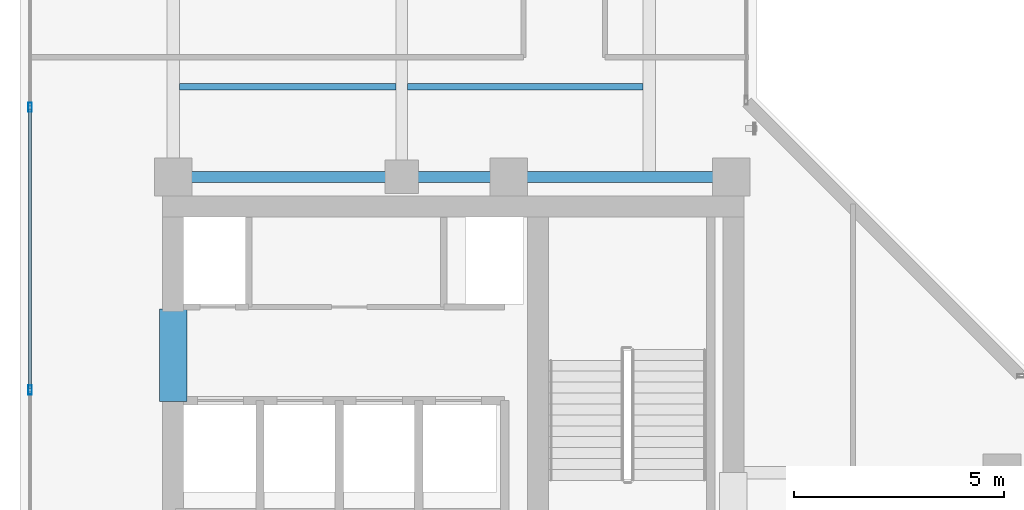
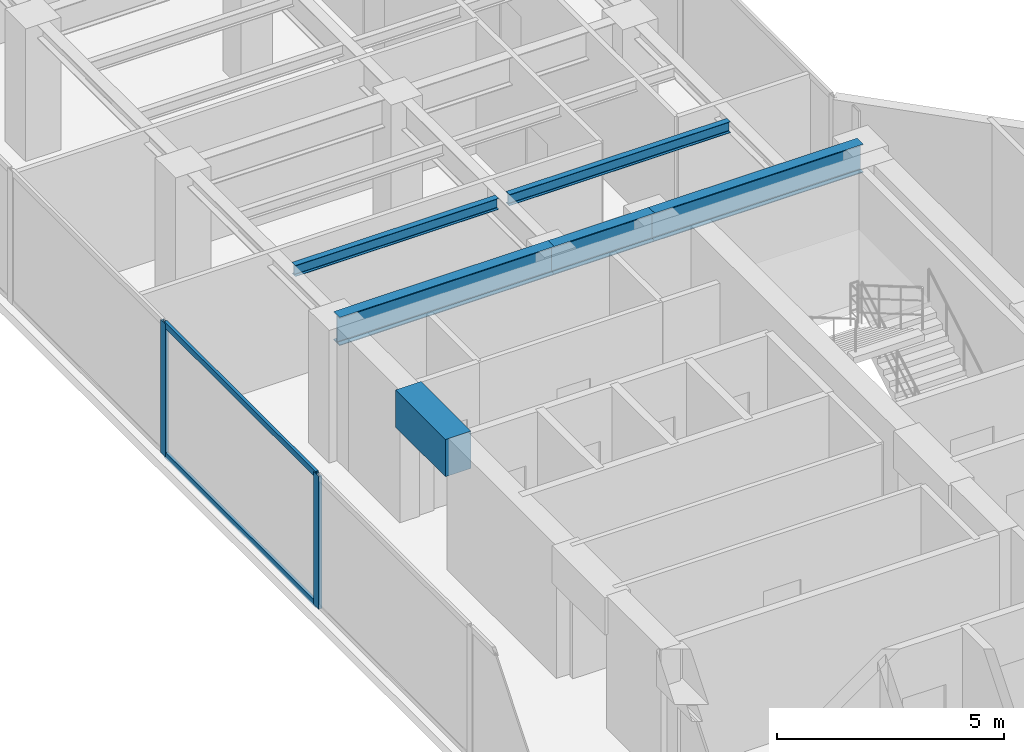
# One storey, part 7 of 22: 6 beams, 4 members, 1 element without a shape of its own.
"""IFC4 building model written with IfcOpenShell, lengths in metres."""

import ifcopenshell
import ifcopenshell.guid

model = None  # the IFC model being written
_history = None  # IfcOwnerHistory: only IFC2X3 demands one
_inside = {}  # id of a spatial element -> (the spatial element, [elements in it])
_under = {}  # id of a project, library or spatial element -> (it, [spatial elements below it])
_declared = {}  # id of a project -> (the project, [libraries it declares])
_typed = {}  # id of a type object -> (the type object, [elements of that type])
_made_of = {}  # id of a material, layer set ... -> (it, [elements and type objects made of it])


def new_model(schema):
    """Start an empty IFC model of exactly this schema.

    Asked for "IFC4X3", IfcOpenShell would pick the latest addendum, in which some entities
    have other attributes; the version numbers below select the first issue.
    IFC2X3 requires an IfcOwnerHistory on every rooted entity: one is made here for all.
    """
    global model, _history
    if schema == "IFC4X3":
        model = ifcopenshell.file(schema_version=(4, 3, 0, 0))
    else:
        model = ifcopenshell.file(schema=schema)
    _inside.clear()
    _under.clear()
    _declared.clear()
    _typed.clear()
    _made_of.clear()
    _history = None
    if model.schema == "IFC2X3":
        org = make("IfcOrganization", Name="unknown")
        user = make(
            "IfcPersonAndOrganization",
            ThePerson=make("IfcPerson", FamilyName="unknown"),
            TheOrganization=org,
        )
        app = make(
            "IfcApplication",
            ApplicationDeveloper=org,
            Version="unknown",
            ApplicationFullName="unknown",
            ApplicationIdentifier="unknown",
        )
        _history = make(
            "IfcOwnerHistory",
            OwningUser=user,
            OwningApplication=app,
            ChangeAction="ADDED",
            CreationDate=0,
        )
    return model


def make(cls, **values):
    """One entity of the class cls with the attributes given. An attribute that is None is left unset."""
    return model.create_entity(
        cls, **{name: value for name, value in values.items() if value is not None}
    )


def rooted(cls, **values):
    """An entity with a GlobalId (a new one), such as an element, a storey or a relation."""
    return make(cls, GlobalId=ifcopenshell.guid.new(), OwnerHistory=_history, **values)


def si_unit(unit_type, name, prefix=None):
    """IfcSIUnit, for example si_unit("LENGTHUNIT", "METRE", prefix="MILLI")."""
    return make("IfcSIUnit", UnitType=unit_type, Prefix=prefix, Name=name)


def assignment(units):
    """IfcUnitAssignment: the units of a project."""
    return None if units is None else make("IfcUnitAssignment", Units=units)


def point(xyz):
    """IfcCartesianPoint."""
    return None if xyz is None else make("IfcCartesianPoint", Coordinates=xyz)


def direction(xyz):
    """IfcDirection."""
    return None if xyz is None else make("IfcDirection", DirectionRatios=xyz)


def frame(location, z_axis=None, x_axis=None):
    """IfcAxis2Placement3D, a coordinate frame: its origin and axes. An axis left out is left unset."""
    return make(
        "IfcAxis2Placement3D",
        Location=point(location),
        Axis=direction(z_axis),
        RefDirection=direction(x_axis),
    )


def frame_2d(location, x_axis=None):
    """IfcAxis2Placement2D, a coordinate frame in the plane: its origin and x axis."""
    return make(
        "IfcAxis2Placement2D", Location=point(location), RefDirection=direction(x_axis)
    )


def origin():
    """The frame at (0, 0, 0) with its axes left unset."""
    return frame((0.0, 0.0, 0.0))


def origin_with_axes():
    """The frame at (0, 0, 0) with the z axis (0, 0, 1) and the x axis (1, 0, 0) written out."""
    return frame((0.0, 0.0, 0.0), z_axis=(0.0, 0.0, 1.0), x_axis=(1.0, 0.0, 0.0))


def origin_2d():
    """The frame at (0, 0) in the plane with its x axis left unset."""
    return frame_2d((0.0, 0.0))


def place(relative_to, where):
    """IfcLocalPlacement: puts the frame where relative to a parent placement (None: the world)."""
    return make(
        "IfcLocalPlacement", PlacementRelTo=relative_to, RelativePlacement=where
    )


def context(
    kind, dimensions, precision=None, world=None, true_north=None, identifier=None
):
    """IfcGeometricRepresentationContext, for example the 3D "Model" context."""
    return make(
        "IfcGeometricRepresentationContext",
        ContextIdentifier=identifier,
        ContextType=kind,
        CoordinateSpaceDimension=dimensions,
        Precision=precision,
        WorldCoordinateSystem=world,
        TrueNorth=true_north,
    )


def subcontext(parent, identifier, kind, view, scale=None):
    """IfcGeometricRepresentationSubContext, for example "Body" below "Model"."""
    return make(
        "IfcGeometricRepresentationSubContext",
        ContextIdentifier=identifier,
        ContextType=kind,
        ParentContext=parent,
        TargetScale=scale,
        TargetView=view,
    )


def project(units=None, contexts=None):
    """IfcProject with its units and contexts."""
    return rooted(
        "IfcProject",
        Name="project",
        RepresentationContexts=contexts,
        UnitsInContext=assignment(units),
    )


def spatial(cls, under=None, at=None, **own):
    """A site, building, storey or space (cls), placed at a placement, below another one or the project."""
    s = rooted(cls, ObjectPlacement=at, **own)
    if under is not None:
        _under.setdefault(under.id(), (under, []))[1].append(s)
    return s


def profile(cls, at=None, kind="AREA", **sizes):
    """A parametric profile (cls). Its sizes go by their IFC names, for example OverallWidth=200.0."""
    return make(cls, ProfileType=kind, Position=at, **sizes)


def rectangle(**sizes):
    """IfcRectangleProfileDef."""
    return profile("IfcRectangleProfileDef", **sizes)


def hollow_rectangle(**sizes):
    """IfcRectangleHollowProfileDef."""
    return profile("IfcRectangleHollowProfileDef", **sizes)


def i_section(**sizes):
    """IfcIShapeProfileDef."""
    return profile("IfcIShapeProfileDef", **sizes)


def extrude(swept, where, along, depth):
    """IfcExtrudedAreaSolid: the profile swept, set in the frame where, extruded along a direction by depth."""
    return make(
        "IfcExtrudedAreaSolid",
        SweptArea=swept,
        Position=where,
        ExtrudedDirection=direction(along),
        Depth=depth,
    )


def shape(context_of_items, identifier, shape_type, items):
    """IfcShapeRepresentation: the items that make up one representation, for example the "Body"."""
    return make(
        "IfcShapeRepresentation",
        ContextOfItems=context_of_items,
        RepresentationIdentifier=identifier,
        RepresentationType=shape_type,
        Items=items,
    )


def source(mapping_origin, context_of_items, identifier, shape_type, items):
    """IfcRepresentationMap: a shape defined once, which mapped items show again and again."""
    return make(
        "IfcRepresentationMap",
        MappingOrigin=mapping_origin,
        MappedRepresentation=shape(context_of_items, identifier, shape_type, items),
    )


def transform(
    local_origin,
    x_axis=None,
    y_axis=None,
    z_axis=None,
    scale=None,
    scale2=None,
    scale3=None,
    uniform=True,
):
    """IfcCartesianTransformationOperator3D, or its non-uniform kind. x_axis, y_axis, z_axis: its Axis1, 2, 3."""
    if uniform:
        return make(
            "IfcCartesianTransformationOperator3D",
            Axis1=direction(x_axis),
            Axis2=direction(y_axis),
            LocalOrigin=point(local_origin),
            Scale=scale,
            Axis3=direction(z_axis),
        )
    return make(
        "IfcCartesianTransformationOperator3DnonUniform",
        Axis1=direction(x_axis),
        Axis2=direction(y_axis),
        LocalOrigin=point(local_origin),
        Scale=scale,
        Axis3=direction(z_axis),
        Scale2=scale2,
        Scale3=scale3,
    )


def mapped(mapping_source, mapping_target):
    """IfcMappedItem: shows the shape of a source again, moved by a transform."""
    return make(
        "IfcMappedItem", MappingSource=mapping_source, MappingTarget=mapping_target
    )


def material(Name=None, Category=None):
    """IfcMaterial."""
    return make("IfcMaterial", Name=Name, Category=Category)


def layer(
    of_material, thickness, ventilated=None, Name=None, Category=None, Priority=None
):
    """IfcMaterialLayer: one layer of a wall or slab, of a material (None: an air gap)."""
    return make(
        "IfcMaterialLayer",
        Material=of_material,
        LayerThickness=thickness,
        IsVentilated=ventilated,
        Name=Name,
        Category=Category,
        Priority=Priority,
    )


def layer_set(layers, Name=None):
    """IfcMaterialLayerSet."""
    return make("IfcMaterialLayerSet", MaterialLayers=layers, LayerSetName=Name)


def material_profile(
    of_material, cross_section, Name=None, Category=None, Priority=None
):
    """IfcMaterialProfile: a cross section and its material."""
    return make(
        "IfcMaterialProfile",
        Name=Name,
        Material=of_material,
        Profile=cross_section,
        Priority=Priority,
        Category=Category,
    )


def profile_set(profiles, Name=None, composite=None):
    """IfcMaterialProfileSet."""
    return make(
        "IfcMaterialProfileSet",
        Name=Name,
        MaterialProfiles=profiles,
        CompositeProfile=composite,
    )


def made_of(thing, what):
    """Note that an element or type object is made of a material, layer set ...; save() writes the relation."""
    if what is not None:
        _made_of.setdefault(what.id(), (what, []))[1].append(thing)
    return thing


def type_object(cls, material=None, **own):
    """A type object (cls), such as IfcWallType, which elements share."""
    return made_of(rooted(cls, **own), material)


def element(
    cls,
    number,
    at=None,
    inside=None,
    cuts=None,
    type_object=None,
    material=None,
    context=None,
    identifier="Body",
    shape_type=None,
    held_by="IfcProductDefinitionShape",
    body=None,
    shapes=None,
    **own,
):
    """One element of the class cls, such as IfcWall. Its Tag is "e" and its number.

    at: its placement. inside: the storey or other place that contains it. cuts: it is an
    opening in that element (IfcRelVoidsElement). A single representation is given by context,
    identifier, shape_type and body (its items); several are given by shapes. held_by: the class
    of the entity that holds the representations. save() writes the other relations.
    """
    e = rooted(cls, Tag="e%d" % number, ObjectPlacement=at, **own)
    if body is not None:
        shapes = [shape(context, identifier, shape_type, body)]
    if shapes is not None:
        e.Representation = make(held_by, Representations=shapes)
    if inside is not None:
        _inside.setdefault(inside.id(), (inside, []))[1].append(e)
    if cuts is not None:
        rooted(
            "IfcRelVoidsElement", RelatingBuildingElement=cuts, RelatedOpeningElement=e
        )
    if type_object is not None:
        _typed.setdefault(type_object.id(), (type_object, []))[1].append(e)
    return made_of(e, material)


def aggregate(whole, parts):
    """IfcRelAggregates: a whole, such as a stair, and the parts it consists of."""
    return rooted("IfcRelAggregates", RelatingObject=whole, RelatedObjects=parts)


def save(model, path):
    """Write the relations noted so far, then the file.

    IfcRelAggregates (storeys below a building ...), IfcRelContainedInSpatialStructure (elements
    in a storey), IfcRelDefinesByType, IfcRelAssociatesMaterial and IfcRelDeclares: one each for
    every whole, place, type object, material and project.
    """
    for whole, parts in _under.values():
        aggregate(whole, parts)
    for where, things in _inside.values():
        rooted(
            "IfcRelContainedInSpatialStructure",
            RelatedElements=things,
            RelatingStructure=where,
        )
    for kind, things in _typed.values():
        rooted("IfcRelDefinesByType", RelatedObjects=things, RelatingType=kind)
    for what, things in _made_of.values():
        rooted("IfcRelAssociatesMaterial", RelatedObjects=things, RelatingMaterial=what)
    for by, libraries in _declared.values():
        rooted("IfcRelDeclares", RelatingContext=by, RelatedDefinitions=libraries)
    model.write(path)


model = new_model("IFC4")

# Units and contexts
model_context = context("Model", 3, precision=1e-05, world=origin(), true_north=direction((0.0, 1.0)))
body_context = subcontext(model_context, "Body", "Model", "MODEL_VIEW")
ifc_project = project(units=[si_unit("LENGTHUNIT", "METRE"), si_unit("AREAUNIT", "SQUARE_METRE"), si_unit("VOLUMEUNIT", "CUBIC_METRE"), si_unit("PLANEANGLEUNIT", "RADIAN"), si_unit("MASSUNIT", "GRAM", prefix="KILO")], contexts=[model_context])

# Site, building, storey
site_placement = place(None, origin())
site = spatial("IfcSite", under=ifc_project, at=site_placement, CompositionType="ELEMENT")
building_placement = place(site_placement, origin())
building = spatial("IfcBuilding", under=site, at=building_placement, Name="Kolvaren Waterfront Exchange", CompositionType="ELEMENT")
storey_placement = place(building_placement, frame((0.0, 0.0, 281.800048828125)))
storey = spatial("IfcBuildingStorey", under=building, at=storey_placement, Name="L72", CompositionType="ELEMENT", Elevation=281.800048828125)

# Beams
ifc_material_1 = material(Name="Steel S355", Category="steel")
ifc_material_profile_1 = material_profile(ifc_material_1, i_section(OverallWidth=0.14990234375, OverallDepth=0.300048828125, WebThickness=0.007080078125, FlangeThickness=0.0107421875, FilletRadius=0.014892578125, at=origin_2d()), Name="IPE300")
ifc_profile_set_1 = profile_set([ifc_material_profile_1], Name="Steel S355")
beam_type_1 = type_object("IfcBeamType", Name="STR-BM-IPE300", PredefinedType="JOIST", material=ifc_profile_set_1)
beam_1_placement = place(storey_placement, frame((7.60205078125, 26.60009765625, 3.409912109375), z_axis=(1.0, 0.0, 0.0), x_axis=(0.0, 1.0, 0.0)))
element("IfcBeam", 1, at=beam_1_placement, inside=storey, type_object=beam_type_1, Name="L72 north-arm composite joist 1A", PredefinedType="JOIST", context=body_context, shape_type="SweptSolid", body=[
    extrude(i_section(OverallWidth=0.14990234375, OverallDepth=0.300048828125, WebThickness=0.007080078125, FlangeThickness=0.0107421875, FilletRadius=0.014892578125, at=origin_2d()), origin(), (0.0, 0.0, 1.0), 5.162353515625),
])
beam_2_placement = place(storey_placement, frame((13.035400390625, 26.60009765625, 3.409912109375), z_axis=(1.0, 0.0, 0.0), x_axis=(0.0, 1.0, 0.0)))
element("IfcBeam", 2, at=beam_2_placement, inside=storey, type_object=beam_type_1, Name="L72 north-arm composite joist 1B", PredefinedType="JOIST", context=body_context, shape_type="SweptSolid", body=[
    extrude(i_section(OverallWidth=0.14990234375, OverallDepth=0.300048828125, WebThickness=0.007080078125, FlangeThickness=0.0107421875, FilletRadius=0.014892578125, at=origin_2d()), origin(), (0.0, 0.0, 1.0), 5.612548828125),
])
ifc_material_profile_2 = material_profile(ifc_material_1, i_section(OverallWidth=0.26708984375, OverallDepth=0.761962890625, WebThickness=0.014404296875, FlangeThickness=0.021484375, FilletRadius=0.01708984375, at=origin_2d()), Name="IPE750x173")
ifc_profile_set_2 = profile_set([ifc_material_profile_2], Name="Steel S355")
beam_type_2 = type_object("IfcBeamType", Name="STR-BM-IPE750", PredefinedType="BEAM", material=ifc_profile_set_2)
beam_3_placement = place(storey_placement, frame((7.449951171875, 24.449951171875, 3.178955078125), z_axis=(1.0, 0.0, 0.0), x_axis=(0.0, 1.0, 0.0)))
element("IfcBeam", 3, at=beam_3_placement, inside=storey, type_object=beam_type_2, Name="L72 north-arm girder 1A", PredefinedType="BEAM", context=body_context, shape_type="SweptSolid", body=[
    extrude(i_section(OverallWidth=0.26708984375, OverallDepth=0.761962890625, WebThickness=0.014404296875, FlangeThickness=0.021484375, FilletRadius=0.01708984375, at=origin_2d()), origin(), (0.0, 0.0, 1.0), 5.449951171875),
])
beam_4_placement = place(storey_placement, frame((12.89990234375, 24.449951171875, 3.178955078125), z_axis=(1.0, 0.0, 0.0), x_axis=(0.0, 1.0, 0.0)))
element("IfcBeam", 4, at=beam_4_placement, inside=storey, type_object=beam_type_2, Name="L72 north-arm girder 1B", PredefinedType="BEAM", context=body_context, shape_type="SweptSolid", body=[
    extrude(i_section(OverallWidth=0.26708984375, OverallDepth=0.761962890625, WebThickness=0.014404296875, FlangeThickness=0.021484375, FilletRadius=0.01708984375, at=origin_2d()), origin(), (0.0, 0.0, 1.0), 2.550048828125),
])
beam_5_placement = place(storey_placement, frame((15.449951171875, 24.449951171875, 3.178955078125), z_axis=(1.0, 0.0, 0.0), x_axis=(0.0, 1.0, 0.0)))
element("IfcBeam", 5, at=beam_5_placement, inside=storey, type_object=beam_type_2, Name="L72 north-arm girder 1C", PredefinedType="BEAM", context=body_context, shape_type="SweptSolid", body=[
    extrude(i_section(OverallWidth=0.26708984375, OverallDepth=0.761962890625, WebThickness=0.014404296875, FlangeThickness=0.021484375, FilletRadius=0.01708984375, at=origin_2d()), origin(), (0.0, 0.0, 1.0), 5.300048828125),
])
ifc_material_2 = material(Name="Concrete C60/75", Category="concrete")
ifc_material_profile_3 = material_profile(ifc_material_2, rectangle(XDim=0.64990234375, YDim=1.0, at=origin_2d()), Name="RC-CB-1000x650")
ifc_profile_set_3 = profile_set([ifc_material_profile_3], Name="Concrete C60/75")
beam_type_3 = type_object("IfcBeamType", Name="STR-CB-1000", PredefinedType="SPANDREL", material=ifc_profile_set_3)
beam_6_placement = place(storey_placement, frame((7.449951171875, 19.10009765625, 3.06005859375), z_axis=(0.0, 1.0, 0.0), x_axis=(-1.0, 0.0, 0.0)))
element("IfcBeam", 6, at=beam_6_placement, inside=storey, type_object=beam_type_3, Name="L72 core coupling beam 5", PredefinedType="SPANDREL", context=body_context, shape_type="SweptSolid", body=[
    extrude(rectangle(XDim=0.64990234375, YDim=1.0, at=origin_2d()), origin(), (0.0, 0.0, 1.0), 2.199951171875),
])

# Curtain wall, members
ifc_material_3 = material(Name="Anodised aluminium 6063-T6", Category="aluminium")
ifc_layer = layer(ifc_material_3, 0.219970703125, Name="Anodised aluminium 6063-T6")
ifc_layer_set = layer_set([ifc_layer], Name="Anodised aluminium 6063-T6")
curtain_wall_type = type_object("IfcCurtainWallType", Name="ARC-CW-SYS2", PredefinedType="USERDEFINED", material=ifc_layer_set)
curtain_wall_placement = place(storey_placement, origin())
curtain_wall = element("IfcCurtainWall", 7, at=curtain_wall_placement, inside=storey, type_object=curtain_wall_type, Name="L72 stick curtain wall CW2 (CW-L72-W)", ObjectType="STICK CURTAIN WALL", PredefinedType="USERDEFINED")
ifc_material_profile_4 = material_profile(ifc_material_3, hollow_rectangle(XDim=0.080078125, YDim=0.219970703125, WallThickness=0.0048828125, at=origin_2d()), Name="ALU-MUL-220x80x5")
ifc_profile_set_4 = profile_set([ifc_material_profile_4], Name="Anodised aluminium 6063-T6")
member_type_1 = type_object("IfcMemberType", Name="ARC-CWM-220", PredefinedType="MULLION", material=ifc_profile_set_4)
shared_shape_1 = source(origin_with_axes(), body_context, "Body", "SweptSolid", [
    extrude(hollow_rectangle(XDim=0.080078125, YDim=0.219970703125, WallThickness=0.0048828125, at=origin_2d()), origin(), (0.0, 0.0, 1.0), 3.56005859375),
])
member_1_placement = place(storey_placement, frame((4.0400390625, 19.371826171875, 0.0), z_axis=(0.0, 0.0, 1.0), x_axis=(-1.0, 0.0, 0.0)))
member_1 = element("IfcMember", 8, at=member_1_placement, type_object=member_type_1, Name="CW2 mullion 3", PredefinedType="MULLION", context=body_context, shape_type="MappedRepresentation", body=[
    mapped(shared_shape_1, transform((0.0, 0.0, 0.0), x_axis=(1.0, 0.0, 0.0), y_axis=(0.0, 1.0, 0.0), z_axis=(0.0, 0.0, 1.0), scale=1.0)),
])
member_2_placement = place(storey_placement, frame((4.0400390625, 26.10791015625, 0.0), z_axis=(0.0, 0.0, 1.0), x_axis=(-1.0, 0.0, 0.0)))
member_2 = element("IfcMember", 9, at=member_2_placement, type_object=member_type_1, Name="CW2 mullion 4", PredefinedType="MULLION", context=body_context, shape_type="MappedRepresentation", body=[
    mapped(shared_shape_1, transform((0.0, 0.0, 0.0), x_axis=(1.0, 0.0, 0.0), y_axis=(0.0, 1.0, 0.0), z_axis=(0.0, 0.0, 1.0), scale=1.0)),
])
ifc_material_profile_5 = material_profile(ifc_material_3, hollow_rectangle(XDim=0.074951171875, YDim=0.159912109375, WallThickness=0.00439453125, at=origin_2d()), Name="ALU-TRN-160x75x4.5")
ifc_profile_set_5 = profile_set([ifc_material_profile_5], Name="Anodised aluminium 6063-T6")
member_type_2 = type_object("IfcMemberType", Name="ARC-CWT-160", PredefinedType="USERDEFINED", material=ifc_profile_set_5)
shared_shape_2 = source(origin_with_axes(), body_context, "Body", "SweptSolid", [
    extrude(hollow_rectangle(XDim=0.074951171875, YDim=0.159912109375, WallThickness=0.00439453125, at=origin_2d()), origin(), (0.0, 0.0, 1.0), 6.656005859375),
])
member_3_placement = place(storey_placement, frame((4.0400390625, 19.411865234375, 0.037353515625), z_axis=(0.0, 1.0, 0.0), x_axis=(-1.0, 0.0, 0.0)))
member_3 = element("IfcMember", 10, at=member_3_placement, type_object=member_type_2, Name="CW2 transom 3.1", ObjectType="TRANSOM", PredefinedType="USERDEFINED", context=body_context, shape_type="MappedRepresentation", body=[
    mapped(shared_shape_2, transform((0.0, 0.0, 0.0), x_axis=(1.0, 0.0, 0.0), y_axis=(0.0, 1.0, 0.0), z_axis=(0.0, 0.0, 1.0), scale=1.0)),
])
member_4_placement = place(storey_placement, frame((4.0400390625, 19.411865234375, 3.5224609375), z_axis=(0.0, 1.0, 0.0), x_axis=(-1.0, 0.0, 0.0)))
member_4 = element("IfcMember", 11, at=member_4_placement, type_object=member_type_2, Name="CW2 transom 3.2", ObjectType="TRANSOM", PredefinedType="USERDEFINED", context=body_context, shape_type="MappedRepresentation", body=[
    mapped(shared_shape_2, transform((0.0, 0.0, 0.0), x_axis=(1.0, 0.0, 0.0), y_axis=(0.0, 1.0, 0.0), z_axis=(0.0, 0.0, 1.0), scale=1.0)),
])
aggregate(curtain_wall, [member_1, member_2, member_3, member_4])

save(model, "model.ifc")
